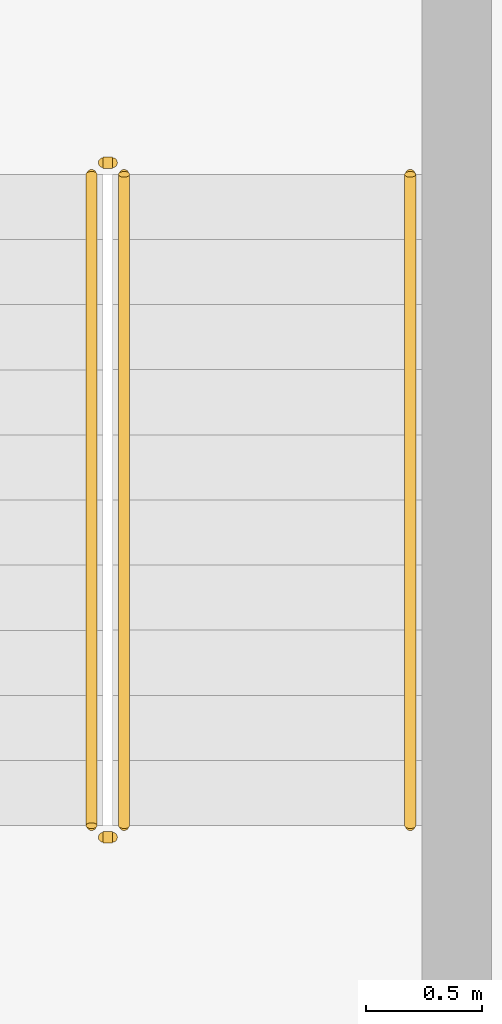
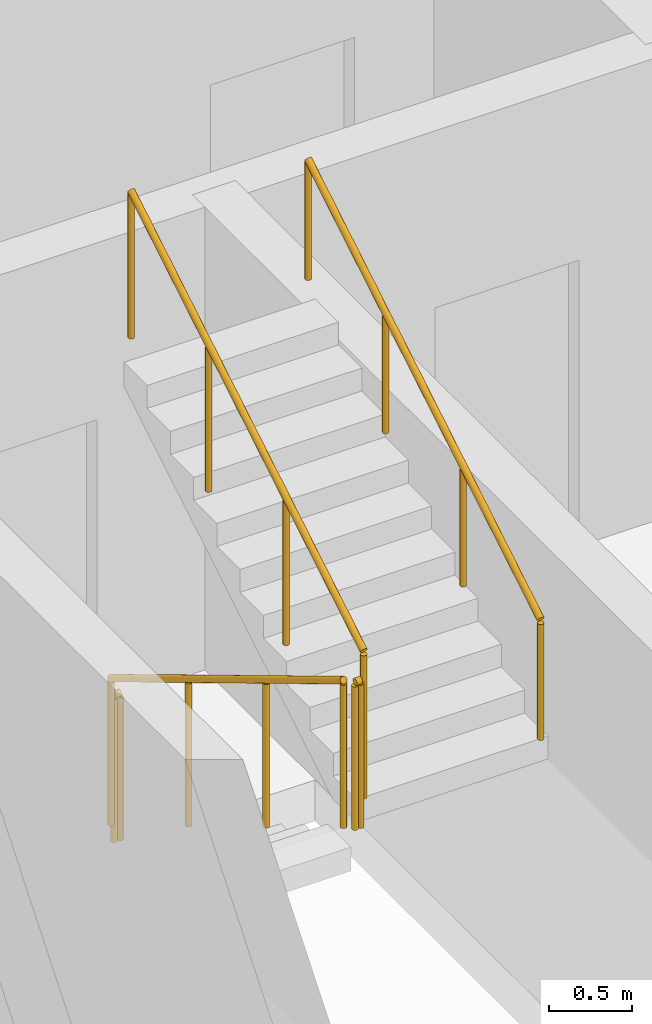
# One storey, part 19 of 21: 5 railings.
"""IFC4 building model written with IfcOpenShell, lengths in metres."""

from ifc_helpers import new_model, si_unit, direction, frame, origin, origin_2d, place, context, subcontext, project, spatial, circle, extrude, material, type_object, element, save


model = new_model("IFC4")

# Units and contexts
model_context = context("Model", 3, precision=1e-05, world=origin(), true_north=direction((0.0, 1.0)))
body_context = subcontext(model_context, "Body", "Model", "MODEL_VIEW")
ifc_project = project(units=[si_unit("LENGTHUNIT", "METRE"), si_unit("AREAUNIT", "SQUARE_METRE"), si_unit("VOLUMEUNIT", "CUBIC_METRE"), si_unit("PLANEANGLEUNIT", "RADIAN"), si_unit("MASSUNIT", "GRAM", prefix="KILO")], contexts=[model_context])

# Site, building, storey
site_placement = place(None, origin())
site = spatial("IfcSite", under=ifc_project, at=site_placement, CompositionType="ELEMENT")
building_placement = place(site_placement, origin())
building = spatial("IfcBuilding", under=site, at=building_placement, Name="Ogive Portal Towers", CompositionType="ELEMENT")
storey_placement = place(building_placement, frame((0.0, 0.0, 109.300048828125)))
storey = spatial("IfcBuildingStorey", under=building, at=storey_placement, Name="L26", CompositionType="ELEMENT", Elevation=109.300048828125)

# Railings
ifc_material_1 = material(Name="Stainless steel balustrade", Category="steel")
railing_type_1 = type_object("IfcRailingType", Name="INT-GUARD", PredefinedType="GUARDRAIL", material=ifc_material_1)
railing_1_placement = place(storey_placement, frame((88.280029296875, 29.169921875, 0.168212890625)))
element("IfcRailing", 1, at=railing_1_placement, inside=storey, type_object=railing_type_1, Name="L26 ST-A4 stair guard 1", PredefinedType="GUARDRAIL", context=body_context, shape_type="SweptSolid", body=[
    extrude(circle(Radius=0.02392578125, at=origin_2d()), frame((0.0, 0.0, 1.076171875), z_axis=(0.0, -0.857255387014, 0.514891446264), x_axis=(1.0, 0.0, 0.0)), (0.0, 0.0, 1.0), 3.26611328125),
    extrude(circle(Radius=0.02099609375, at=origin_2d()), origin(), (0.0, 0.0, 1.0), 1.052001953125),
    extrude(circle(Radius=0.02099609375, at=origin_2d()), frame((0.0, -0.933349609375, 0.560546875)), (0.0, 0.0, 1.0), 1.052001953125),
    extrude(circle(Radius=0.02099609375, at=origin_2d()), frame((0.0, -1.866455078125, 1.12109375)), (0.0, 0.0, 1.0), 1.052001953125),
    extrude(circle(Radius=0.02099609375, at=origin_2d()), frame((0.0, -2.7998046875, 1.681640625)), (0.0, 0.0, 1.0), 1.052001953125),
])
railing_2_placement = place(storey_placement, frame((88.330078125, 26.320068359375, 1.849853515625)))
element("IfcRailing", 2, at=railing_2_placement, inside=storey, type_object=railing_type_1, Name="L26 ST-A4 stair guard 2", PredefinedType="GUARDRAIL", context=body_context, shape_type="SweptSolid", body=[
    extrude(circle(Radius=0.02392578125, at=origin_2d()), frame((0.0, 0.0, 1.076171875), z_axis=(1.0, 0.0, 0.0), x_axis=(0.0, 1.0, 0.0)), (0.0, 0.0, 1.0), 0.0400390625),
    extrude(circle(Radius=0.02099609375, at=origin_2d()), origin(), (0.0, 0.0, 1.0), 1.052001953125),
    extrude(circle(Radius=0.02099609375, at=origin_2d()), frame((0.0400390625, 0.0, 0.0)), (0.0, 0.0, 1.0), 1.052001953125),
])
railing_3_placement = place(storey_placement, frame((88.419921875, 26.3701171875, 2.01806640625)))
element("IfcRailing", 3, at=railing_3_placement, inside=storey, type_object=railing_type_1, Name="L26 ST-A4 stair guard 3", PredefinedType="GUARDRAIL", context=body_context, shape_type="SweptSolid", body=[
    extrude(circle(Radius=0.02392578125, at=origin_2d()), frame((0.0, 0.0, 1.076171875), z_axis=(0.0, 0.857222391501, 0.514946377315), x_axis=(-1.0, 0.0, 0.0)), (0.0, 0.0, 1.0), 3.26611328125),
    extrude(circle(Radius=0.02099609375, at=origin_2d()), origin(), (0.0, 0.0, 1.0), 1.052001953125),
    extrude(circle(Radius=0.02099609375, at=origin_2d()), frame((0.0, 0.933349609375, 0.560546875)), (0.0, 0.0, 1.0), 1.052001953125),
    extrude(circle(Radius=0.02099609375, at=origin_2d()), frame((0.0, 1.866455078125, 1.121337890625)), (0.0, 0.0, 1.0), 1.052001953125),
    extrude(circle(Radius=0.02099609375, at=origin_2d()), frame((0.0, 2.7998046875, 1.681884765625)), (0.0, 0.0, 1.0), 1.052001953125),
])
railing_4_placement = place(storey_placement, frame((88.330078125, 29.219970703125, 0.0)))
element("IfcRailing", 4, at=railing_4_placement, inside=storey, type_object=railing_type_1, Name="L26 ST-A4 stair guard 4", PredefinedType="GUARDRAIL", context=body_context, shape_type="SweptSolid", body=[
    extrude(circle(Radius=0.02392578125, at=origin_2d()), frame((0.0, 0.0, 1.076171875), z_axis=(1.0, 0.0, 0.0), x_axis=(0.0, 1.0, 0.0)), (0.0, 0.0, 1.0), 0.0400390625),
    extrude(circle(Radius=0.02099609375, at=origin_2d()), origin(), (0.0, 0.0, 1.0), 1.052001953125),
    extrude(circle(Radius=0.02099609375, at=origin_2d()), frame((0.0400390625, 0.0, 0.0)), (0.0, 0.0, 1.0), 1.052001953125),
])
ifc_material_2 = material(Name="Stainless steel handrail", Category="steel")
railing_type_2 = type_object("IfcRailingType", Name="INT-HANDRAIL", PredefinedType="HANDRAIL", material=ifc_material_2)
railing_5_placement = place(storey_placement, frame((89.64990234375, 26.3701171875, 2.01806640625)))
element("IfcRailing", 5, at=railing_5_placement, inside=storey, type_object=railing_type_2, Name="L26 ST-A4 stair handrail 2", PredefinedType="HANDRAIL", context=body_context, shape_type="SweptSolid", body=[
    extrude(circle(Radius=0.02392578125, at=origin_2d()), frame((0.0, 0.0, 0.8759765625), z_axis=(0.0, 0.857222391501, 0.514946377315), x_axis=(-1.0, 0.0, 0.0)), (0.0, 0.0, 1.0), 3.26611328125),
    extrude(circle(Radius=0.02099609375, at=origin_2d()), origin(), (0.0, 0.0, 1.0), 0.851806640625),
    extrude(circle(Radius=0.02099609375, at=origin_2d()), frame((0.0, 0.933349609375, 0.560546875)), (0.0, 0.0, 1.0), 0.851806640625),
    extrude(circle(Radius=0.02099609375, at=origin_2d()), frame((0.0, 1.866455078125, 1.121337890625)), (0.0, 0.0, 1.0), 0.851806640625),
    extrude(circle(Radius=0.02099609375, at=origin_2d()), frame((0.0, 2.7998046875, 1.681884765625)), (0.0, 0.0, 1.0), 0.851806640625),
])

save(model, "model.ifc")
